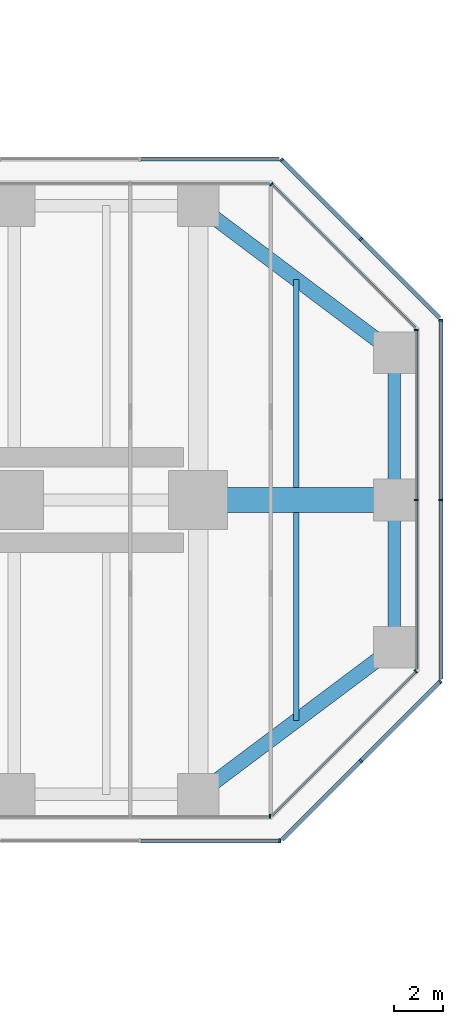
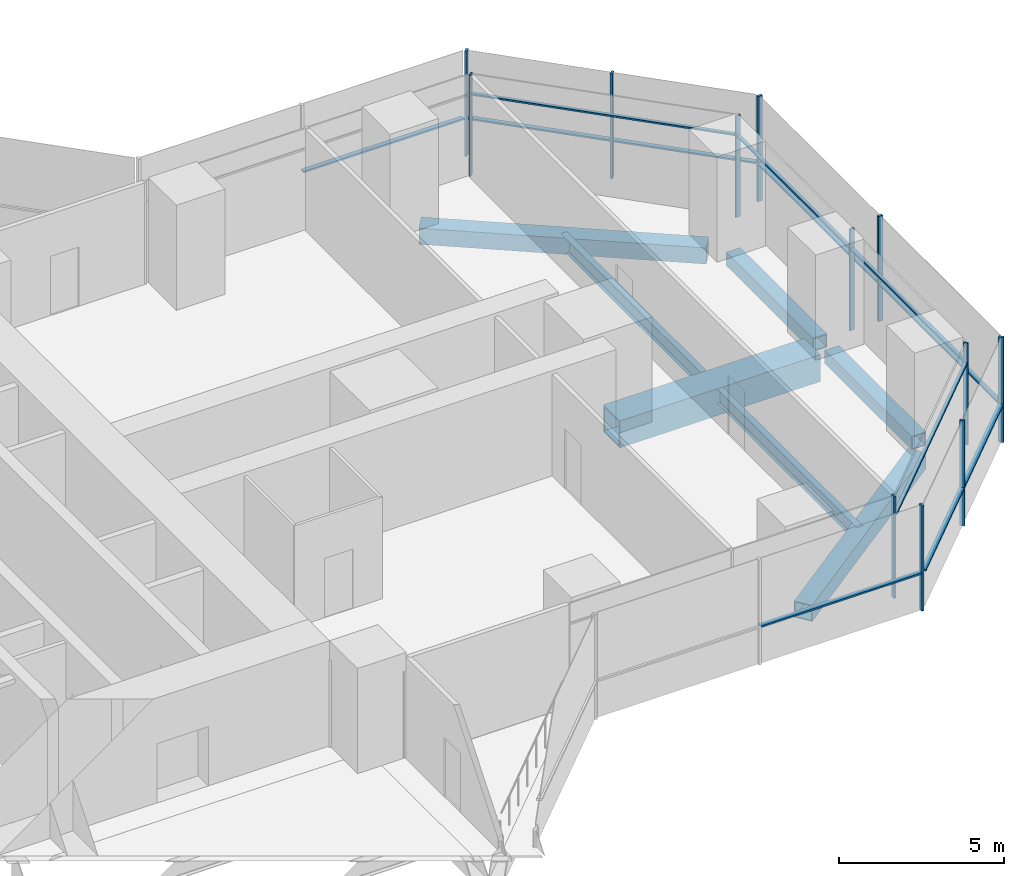
# One storey, part 11 of 20: 24 members, 7 beams, 9 elements without a shape of their own.
"""IFC4 building model written with IfcOpenShell, lengths in metres."""

from ifc_helpers import new_model, si_unit, direction, frame, origin, origin_2d, place, context, subcontext, project, spatial, rectangle, hollow_rectangle, i_section, extrude, material, material_profile, profile_set, type_object, element, aggregate, save


model = new_model("IFC4")

# Units and contexts
model_context = context("Model", 3, precision=1e-05, world=origin(), true_north=direction((0.0, 1.0)))
body_context = subcontext(model_context, "Body", "Model", "MODEL_VIEW")
ifc_project = project(units=[si_unit("LENGTHUNIT", "METRE"), si_unit("AREAUNIT", "SQUARE_METRE"), si_unit("VOLUMEUNIT", "CUBIC_METRE"), si_unit("PLANEANGLEUNIT", "RADIAN"), si_unit("MASSUNIT", "GRAM", prefix="KILO")], contexts=[model_context])

# Site, building, storey
site_placement = place(None, origin())
site = spatial("IfcSite", under=ifc_project, at=site_placement, CompositionType="ELEMENT")
building_placement = place(site_placement, origin())
building = spatial("IfcBuilding", under=site, at=building_placement, Name="Mizan Broadcast Tower", CompositionType="ELEMENT")
storey_placement = place(building_placement, frame((0.0, 0.0, 174.89990234375)))
storey = spatial("IfcBuildingStorey", under=building, at=storey_placement, Name="L40", CompositionType="ELEMENT", Elevation=174.89990234375)

# Beams
ifc_material_1 = material(Name="Steel S355", Category="steel")
ifc_material_profile_1 = material_profile(ifc_material_1, hollow_rectangle(XDim=0.5, YDim=0.5, WallThickness=0.030029296875, at=origin_2d()), Name="BOX 500x500x30")
ifc_profile_set_1 = profile_set([ifc_material_profile_1], Name="Steel S355")
beam_type_1 = type_object("IfcBeamType", Name="EDGE BEAM BOX 500x500x30", PredefinedType="SPANDREL", material=ifc_profile_set_1)
for number, where, z_axis, x_axis, name in (
    (1, (35.0, -5.639892578125, -0.3798828125), (0.0, 1.0, 0.0), (-1.0, 0.0, 0.0), "Edge beam BOX 500x500x30 L40 east arm"),
    (2, (35.0, 5.639892578125, -0.3798828125), (0.0, -1.0, 0.0), (1.0, 0.0, 0.0), "Edge beam BOX 500x500x30 L40 east arm"),
):
    element("IfcBeam", number, at=place(storey_placement, frame(where, z_axis=z_axis, x_axis=x_axis)), inside=storey, type_object=beam_type_1, Name=name, PredefinedType="SPANDREL", context=body_context, shape_type="SweptSolid", body=[
        extrude(hollow_rectangle(XDim=0.5, YDim=0.5, WallThickness=0.030029296875, at=origin_2d()), origin(), (0.0, 0.0, 1.0), 5.27978515625),
    ])
ifc_material_2 = material(Name="Steel S355", Category="steel")
ifc_material_profile_2 = material_profile(ifc_material_2, hollow_rectangle(XDim=0.60009765625, YDim=0.60009765625, WallThickness=0.030029296875, at=origin_2d()), Name="BOX 600x600x30")
ifc_profile_set_2 = profile_set([ifc_material_profile_2], Name="Steel S355")
beam_type_2 = type_object("IfcBeamType", Name="EDGE BEAM BOX 600x600x30", PredefinedType="SPANDREL", material=ifc_profile_set_2)
for number, where, z_axis, x_axis, name in (
    (3, (27.47998046875, -11.639892578125, -0.429931640625), (0.800013316712, 0.599982243973, 0.0), (-0.599982243973, 0.800013316712, 0.0), "Edge beam BOX 600x600x30 L40 east arm"),
    (4, (27.47998046875, 11.639892578125, -0.429931640625), (0.800013316712, -0.599982243973, 0.0), (0.599982243973, 0.800013316712, 0.0), "Edge beam BOX 600x600x30 L40 east arm"),
):
    element("IfcBeam", number, at=place(storey_placement, frame(where, z_axis=z_axis, x_axis=x_axis)), inside=storey, type_object=beam_type_2, Name=name, PredefinedType="SPANDREL", context=body_context, shape_type="SweptSolid", body=[
        extrude(hollow_rectangle(XDim=0.60009765625, YDim=0.60009765625, WallThickness=0.030029296875, at=origin_2d()), origin(), (0.0, 0.0, 1.0), 8.7998046875),
    ])
ifc_material_3 = material(Name="Steel S460", Category="steel")
ifc_material_profile_3 = material_profile(ifc_material_3, hollow_rectangle(XDim=1.0, YDim=1.0, WallThickness=0.06005859375, at=origin_2d()), Name="BOX 1000x1000x60")
ifc_profile_set_3 = profile_set([ifc_material_profile_3], Name="Steel S460")
beam_type_3 = type_object("IfcBeamType", Name="GIRDER BOX 1000x1000x60", PredefinedType="BEAM", material=ifc_profile_set_3)
beam_placement = place(storey_placement, frame((27.47998046875, 0.0, -0.6298828125), z_axis=(1.0, 0.0, 0.0), x_axis=(0.0, 1.0, 0.0)))
element("IfcBeam", 5, at=beam_placement, inside=storey, type_object=beam_type_3, Name="Girder BOX 1000x1000x60 L40 east arm", PredefinedType="BEAM", context=body_context, shape_type="SweptSolid", body=[
    extrude(hollow_rectangle(XDim=1.0, YDim=1.0, WallThickness=0.06005859375, at=origin_2d()), origin(), (0.0, 0.0, 1.0), 7.0400390625),
])

# Curtain wall, member
ifc_material_4 = material(Name="Aluminium framed glazing", Category="aluminium")
curtain_wall_type_1 = type_object("IfcCurtainWallType", Name="INNER SKIN MID ZONE", PredefinedType="USERDEFINED", material=ifc_material_4)
curtain_wall_1_placement = place(storey_placement, origin())
curtain_wall_1 = element("IfcCurtainWall", 6, at=curtain_wall_1_placement, inside=storey, type_object=curtain_wall_type_1, Name="Inner skin mid zone L40 E side", ObjectType="INNER SKIN MID ZONE", PredefinedType="USERDEFINED")
ifc_material_5 = material(Name="Aluminium, pale anodised", Category="aluminium")
ifc_material_profile_4 = material_profile(ifc_material_5, rectangle(XDim=0.159912109375, YDim=0.06005859375, at=origin_2d()), Name="MULLION 160x60")
ifc_profile_set_4 = profile_set([ifc_material_profile_4], Name="Aluminium, pale anodised")
member_type_1 = type_object("IfcMemberType", Name="INNER SKIN MULLION 60x160", PredefinedType="MULLION", material=ifc_profile_set_4)
member_1_placement = place(storey_placement, frame((29.928466796875, -12.89990234375, 0.0), z_axis=(0.0, 0.0, 1.0), x_axis=(0.0, 1.0, 0.0)))
member_1 = element("IfcMember", 7, at=member_1_placement, type_object=member_type_1, Name="Inner skin mid zone L40 E side mullion 3", PredefinedType="MULLION", context=body_context, shape_type="SweptSolid", body=[
    extrude(rectangle(XDim=0.159912109375, YDim=0.06005859375, at=origin_2d()), origin(), (0.0, 0.0, 1.0), 3.77001953125),
])
aggregate(curtain_wall_1, [member_1])

curtain_wall_2_placement = place(storey_placement, origin())
curtain_wall_2 = element("IfcCurtainWall", 8, at=curtain_wall_2_placement, inside=storey, type_object=curtain_wall_type_1, Name="Inner skin mid zone L40 E chamfer", ObjectType="INNER SKIN MID ZONE", PredefinedType="USERDEFINED")
member_2_placement = place(storey_placement, frame((35.87890625, -6.979736328125, 0.0), z_axis=(0.0, 0.0, 1.0), x_axis=(-0.707106781187, 0.707106781187, 0.0)))
member_2 = element("IfcMember", 9, at=member_2_placement, type_object=member_type_1, Name="Inner skin mid zone L40 E chamfer mullion 2", PredefinedType="MULLION", context=body_context, shape_type="SweptSolid", body=[
    extrude(rectangle(XDim=0.159912109375, YDim=0.06005859375, at=origin_2d()), origin(), (0.0, 0.0, 1.0), 3.77001953125),
])

# Curtain wall, members
curtain_wall_3_placement = place(storey_placement, origin())
curtain_wall_3 = element("IfcCurtainWall", 10, at=curtain_wall_3_placement, inside=storey, type_object=curtain_wall_type_1, Name="Inner skin mid zone L40 E end", ObjectType="INNER SKIN MID ZONE", PredefinedType="USERDEFINED")
member_3_placement = place(storey_placement, frame((35.89990234375, 0.0, 0.0), z_axis=(0.0, 0.0, 1.0), x_axis=(-1.0, 0.0, 0.0)))
member_3 = element("IfcMember", 11, at=member_3_placement, type_object=member_type_1, Name="Inner skin mid zone L40 E end mullion 2", PredefinedType="MULLION", context=body_context, shape_type="SweptSolid", body=[
    extrude(rectangle(XDim=0.159912109375, YDim=0.06005859375, at=origin_2d()), origin(), (0.0, 0.0, 1.0), 3.77001953125),
])
member_4_placement = place(storey_placement, frame((35.89990234375, 6.928466796875, 0.0), z_axis=(0.0, 0.0, 1.0), x_axis=(-1.0, 0.0, 0.0)))
member_4 = element("IfcMember", 12, at=member_4_placement, type_object=member_type_1, Name="Inner skin mid zone L40 E end mullion 3", PredefinedType="MULLION", context=body_context, shape_type="SweptSolid", body=[
    extrude(rectangle(XDim=0.159912109375, YDim=0.06005859375, at=origin_2d()), origin(), (0.0, 0.0, 1.0), 3.77001953125),
])

# Curtain wall, member
curtain_wall_4_placement = place(storey_placement, origin())
curtain_wall_4 = element("IfcCurtainWall", 13, at=curtain_wall_4_placement, inside=storey, type_object=curtain_wall_type_1, Name="Inner skin mid zone L40 E chamfer", ObjectType="INNER SKIN MID ZONE", PredefinedType="USERDEFINED")
member_5_placement = place(storey_placement, frame((29.979736328125, 12.87890625, 0.0), z_axis=(0.0, 0.0, 1.0), x_axis=(-0.707106781187, -0.707106781187, 0.0)))
member_5 = element("IfcMember", 14, at=member_5_placement, type_object=member_type_1, Name="Inner skin mid zone L40 E chamfer mullion 2", PredefinedType="MULLION", context=body_context, shape_type="SweptSolid", body=[
    extrude(rectangle(XDim=0.159912109375, YDim=0.06005859375, at=origin_2d()), origin(), (0.0, 0.0, 1.0), 3.77001953125),
])

# Member
ifc_material_6 = material(Name="Aluminium, pale anodised", Category="aluminium")
ifc_material_profile_5 = material_profile(ifc_material_6, rectangle(XDim=0.1201171875, YDim=0.06005859375, at=origin_2d()), Name="TRANSOM 120x60")
ifc_profile_set_5 = profile_set([ifc_material_profile_5], Name="Aluminium, pale anodised")
member_type_2 = type_object("IfcMemberType", Name="INNER SKIN TRANSOM 60x120", PredefinedType="USERDEFINED", material=ifc_profile_set_5)
member_6_placement = place(storey_placement, frame((30.0009765625, -12.857666015625, 3.030029296875), z_axis=(0.707106781187, 0.707106781187, 0.0), x_axis=(-0.707106781187, 0.707106781187, 0.0)))
member_6 = element("IfcMember", 15, at=member_6_placement, type_object=member_type_2, Name="Inner skin mid zone L40 E chamfer transom 1.1", ObjectType="TRANSOM", PredefinedType="USERDEFINED", context=body_context, shape_type="SweptSolid", body=[
    extrude(rectangle(XDim=0.1201171875, YDim=0.06005859375, at=origin_2d()), origin(), (0.0, 0.0, 1.0), 8.28271484375),
])

aggregate(curtain_wall_2, [member_2, member_6])

member_7_placement = place(storey_placement, frame((35.89990234375, -6.898681640625, 3.030029296875), z_axis=(0.0, 1.0, 0.0), x_axis=(-1.0, 0.0, 0.0)))
member_7 = element("IfcMember", 16, at=member_7_placement, type_object=member_type_2, Name="Inner skin mid zone L40 E end transom 1.1", ObjectType="TRANSOM", PredefinedType="USERDEFINED", context=body_context, shape_type="SweptSolid", body=[
    extrude(rectangle(XDim=0.1201171875, YDim=0.06005859375, at=origin_2d()), origin(), (0.0, 0.0, 1.0), 6.86865234375),
])

member_8_placement = place(storey_placement, frame((35.89990234375, 0.030029296875, 3.030029296875), z_axis=(0.0, 1.0, 0.0), x_axis=(-1.0, 0.0, 0.0)))
member_8 = element("IfcMember", 17, at=member_8_placement, type_object=member_type_2, Name="Inner skin mid zone L40 E end transom 2.1", ObjectType="TRANSOM", PredefinedType="USERDEFINED", context=body_context, shape_type="SweptSolid", body=[
    extrude(rectangle(XDim=0.1201171875, YDim=0.06005859375, at=origin_2d()), origin(), (0.0, 0.0, 1.0), 6.86865234375),
])

aggregate(curtain_wall_3, [member_3, member_4, member_7, member_8])

member_9_placement = place(storey_placement, frame((35.857666015625, 7.0009765625, 3.030029296875), z_axis=(-0.707106781187, 0.707106781187, 0.0), x_axis=(-0.707106781187, -0.707106781187, 0.0)))
member_9 = element("IfcMember", 18, at=member_9_placement, type_object=member_type_2, Name="Inner skin mid zone L40 E chamfer transom 1.1", ObjectType="TRANSOM", PredefinedType="USERDEFINED", context=body_context, shape_type="SweptSolid", body=[
    extrude(rectangle(XDim=0.1201171875, YDim=0.06005859375, at=origin_2d()), origin(), (0.0, 0.0, 1.0), 8.28271484375),
])

aggregate(curtain_wall_4, [member_5, member_9])

# Curtain wall, members
ifc_material_7 = material(Name="Aluminium framed glazing", Category="aluminium")
curtain_wall_type_2 = type_object("IfcCurtainWallType", Name="OUTER SKIN", PredefinedType="USERDEFINED", material=ifc_material_7)
curtain_wall_5_placement = place(storey_placement, origin())
curtain_wall_5 = element("IfcCurtainWall", 19, at=curtain_wall_5_placement, inside=storey, type_object=curtain_wall_type_2, Name="Outer skin L40 E chamfer", ObjectType="OUTER SKIN", PredefinedType="USERDEFINED")
ifc_material_8 = material(Name="Aluminium, pale anodised", Category="aluminium")
ifc_material_profile_6 = material_profile(ifc_material_8, rectangle(XDim=0.159912109375, YDim=0.080078125, at=origin_2d()), Name="MULLION 160x80")
ifc_profile_set_6 = profile_set([ifc_material_profile_6], Name="Aluminium, pale anodised")
member_type_3 = type_object("IfcMemberType", Name="OUTER SKIN MULLION 80x160", PredefinedType="MULLION", material=ifc_profile_set_6)
member_10_placement = place(storey_placement, frame((33.636474609375, -10.636474609375, 0.0), z_axis=(0.0, 0.0, 1.0), x_axis=(-0.707106781187, 0.707106781187, 0.0)))
member_10 = element("IfcMember", 20, at=member_10_placement, type_object=member_type_3, Name="Outer skin L40 E chamfer mullion 2", PredefinedType="MULLION", context=body_context, shape_type="SweptSolid", body=[
    extrude(rectangle(XDim=0.159912109375, YDim=0.080078125, at=origin_2d()), origin(), (0.0, 0.0, 1.0), 3.900146484375),
])
member_11_placement = place(storey_placement, frame((36.871826171875, -7.401123046875, 0.0), z_axis=(0.0, 0.0, 1.0), x_axis=(-0.707106781187, 0.707106781187, 0.0)))
member_11 = element("IfcMember", 21, at=member_11_placement, type_object=member_type_3, Name="Outer skin L40 E chamfer mullion 3", PredefinedType="MULLION", context=body_context, shape_type="SweptSolid", body=[
    extrude(rectangle(XDim=0.159912109375, YDim=0.080078125, at=origin_2d()), origin(), (0.0, 0.0, 1.0), 3.900146484375),
])

curtain_wall_6_placement = place(storey_placement, origin())
curtain_wall_6 = element("IfcCurtainWall", 22, at=curtain_wall_6_placement, inside=storey, type_object=curtain_wall_type_2, Name="Outer skin L40 E end", ObjectType="OUTER SKIN", PredefinedType="USERDEFINED")
member_12_placement = place(storey_placement, frame((36.89990234375, 0.0, 0.0), z_axis=(0.0, 0.0, 1.0), x_axis=(-1.0, 0.0, 0.0)))
member_12 = element("IfcMember", 23, at=member_12_placement, type_object=member_type_3, Name="Outer skin L40 E end mullion 2", PredefinedType="MULLION", context=body_context, shape_type="SweptSolid", body=[
    extrude(rectangle(XDim=0.159912109375, YDim=0.080078125, at=origin_2d()), origin(), (0.0, 0.0, 1.0), 3.900146484375),
])
member_13_placement = place(storey_placement, frame((36.89990234375, 7.332763671875, 0.0), z_axis=(0.0, 0.0, 1.0), x_axis=(-1.0, 0.0, 0.0)))
member_13 = element("IfcMember", 24, at=member_13_placement, type_object=member_type_3, Name="Outer skin L40 E end mullion 3", PredefinedType="MULLION", context=body_context, shape_type="SweptSolid", body=[
    extrude(rectangle(XDim=0.159912109375, YDim=0.080078125, at=origin_2d()), origin(), (0.0, 0.0, 1.0), 3.900146484375),
])

curtain_wall_7_placement = place(storey_placement, origin())
curtain_wall_7 = element("IfcCurtainWall", 25, at=curtain_wall_7_placement, inside=storey, type_object=curtain_wall_type_2, Name="Outer skin L40 E chamfer", ObjectType="OUTER SKIN", PredefinedType="USERDEFINED")
member_14_placement = place(storey_placement, frame((33.636474609375, 10.636474609375, 0.0), z_axis=(0.0, 0.0, 1.0), x_axis=(-0.707106781187, -0.707106781187, 0.0)))
member_14 = element("IfcMember", 26, at=member_14_placement, type_object=member_type_3, Name="Outer skin L40 E chamfer mullion 2", PredefinedType="MULLION", context=body_context, shape_type="SweptSolid", body=[
    extrude(rectangle(XDim=0.159912109375, YDim=0.080078125, at=origin_2d()), origin(), (0.0, 0.0, 1.0), 3.900146484375),
])
member_15_placement = place(storey_placement, frame((30.401123046875, 13.871826171875, 0.0), z_axis=(0.0, 0.0, 1.0), x_axis=(-0.707106781187, -0.707106781187, 0.0)))
member_15 = element("IfcMember", 27, at=member_15_placement, type_object=member_type_3, Name="Outer skin L40 E chamfer mullion 3", PredefinedType="MULLION", context=body_context, shape_type="SweptSolid", body=[
    extrude(rectangle(XDim=0.159912109375, YDim=0.080078125, at=origin_2d()), origin(), (0.0, 0.0, 1.0), 3.900146484375),
])

# Curtain wall, member
curtain_wall_8_placement = place(storey_placement, origin())
curtain_wall_8 = element("IfcCurtainWall", 28, at=curtain_wall_8_placement, inside=storey, type_object=curtain_wall_type_2, Name="Outer skin L40 E side", ObjectType="OUTER SKIN", PredefinedType="USERDEFINED")
member_16_placement = place(storey_placement, frame((30.332763671875, -13.89990234375, 0.0), z_axis=(0.0, 0.0, 1.0), x_axis=(0.0, 1.0, 0.0)))
member_16 = element("IfcMember", 29, at=member_16_placement, type_object=member_type_3, Name="Outer skin L40 E side mullion 3", PredefinedType="MULLION", context=body_context, shape_type="SweptSolid", body=[
    extrude(rectangle(XDim=0.159912109375, YDim=0.080078125, at=origin_2d()), origin(), (0.0, 0.0, 1.0), 3.900146484375),
])

# Member
ifc_material_9 = material(Name="Aluminium, pale anodised", Category="aluminium")
ifc_material_profile_7 = material_profile(ifc_material_9, rectangle(XDim=0.159912109375, YDim=0.06005859375, at=origin_2d()), Name="TRANSOM 160x60")
ifc_profile_set_7 = profile_set([ifc_material_profile_7], Name="Aluminium, pale anodised")
member_type_4 = type_object("IfcMemberType", Name="OUTER SKIN TRANSOM 60x160", PredefinedType="USERDEFINED", material=ifc_profile_set_7)
member_17_placement = place(storey_placement, frame((30.429443359375, -13.843505859375, 1.400146484375), z_axis=(0.707106781187, 0.707106781187, 0.0), x_axis=(-0.707106781187, 0.707106781187, 0.0)))
member_17 = element("IfcMember", 30, at=member_17_placement, type_object=member_type_4, Name="Outer skin L40 E chamfer transom 1.1", ObjectType="TRANSOM", PredefinedType="USERDEFINED", context=body_context, shape_type="SweptSolid", body=[
    extrude(rectangle(XDim=0.159912109375, YDim=0.06005859375, at=origin_2d()), origin(), (0.0, 0.0, 1.0), 4.495361328125),
])

member_18_placement = place(storey_placement, frame((33.664794921875, -10.608154296875, 1.400146484375), z_axis=(0.707106781187, 0.707106781187, 0.0), x_axis=(-0.707106781187, 0.707106781187, 0.0)))
member_18 = element("IfcMember", 31, at=member_18_placement, type_object=member_type_4, Name="Outer skin L40 E chamfer transom 2.1", ObjectType="TRANSOM", PredefinedType="USERDEFINED", context=body_context, shape_type="SweptSolid", body=[
    extrude(rectangle(XDim=0.159912109375, YDim=0.06005859375, at=origin_2d()), origin(), (0.0, 0.0, 1.0), 4.495361328125),
])

aggregate(curtain_wall_5, [member_10, member_11, member_17, member_18])

member_19_placement = place(storey_placement, frame((36.89990234375, -7.292724609375, 1.400146484375), z_axis=(0.0, 1.0, 0.0), x_axis=(-1.0, 0.0, 0.0)))
member_19 = element("IfcMember", 32, at=member_19_placement, type_object=member_type_4, Name="Outer skin L40 E end transom 1.1", ObjectType="TRANSOM", PredefinedType="USERDEFINED", context=body_context, shape_type="SweptSolid", body=[
    extrude(rectangle(XDim=0.159912109375, YDim=0.06005859375, at=origin_2d()), origin(), (0.0, 0.0, 1.0), 7.252685546875),
])

member_20_placement = place(storey_placement, frame((36.89990234375, 0.0400390625, 1.400146484375), z_axis=(0.0, 1.0, 0.0), x_axis=(-1.0, 0.0, 0.0)))
member_20 = element("IfcMember", 33, at=member_20_placement, type_object=member_type_4, Name="Outer skin L40 E end transom 2.1", ObjectType="TRANSOM", PredefinedType="USERDEFINED", context=body_context, shape_type="SweptSolid", body=[
    extrude(rectangle(XDim=0.159912109375, YDim=0.06005859375, at=origin_2d()), origin(), (0.0, 0.0, 1.0), 7.252685546875),
])

aggregate(curtain_wall_6, [member_12, member_13, member_19, member_20])

member_21_placement = place(storey_placement, frame((36.843505859375, 7.429443359375, 1.400146484375), z_axis=(-0.707106781187, 0.707106781187, 0.0), x_axis=(-0.707106781187, -0.707106781187, 0.0)))
member_21 = element("IfcMember", 34, at=member_21_placement, type_object=member_type_4, Name="Outer skin L40 E chamfer transom 1.1", ObjectType="TRANSOM", PredefinedType="USERDEFINED", context=body_context, shape_type="SweptSolid", body=[
    extrude(rectangle(XDim=0.159912109375, YDim=0.06005859375, at=origin_2d()), origin(), (0.0, 0.0, 1.0), 4.495361328125),
])

member_22_placement = place(storey_placement, frame((33.608154296875, 10.664794921875, 1.400146484375), z_axis=(-0.707106781187, 0.707106781187, 0.0), x_axis=(-0.707106781187, -0.707106781187, 0.0)))
member_22 = element("IfcMember", 35, at=member_22_placement, type_object=member_type_4, Name="Outer skin L40 E chamfer transom 2.1", ObjectType="TRANSOM", PredefinedType="USERDEFINED", context=body_context, shape_type="SweptSolid", body=[
    extrude(rectangle(XDim=0.159912109375, YDim=0.06005859375, at=origin_2d()), origin(), (0.0, 0.0, 1.0), 4.495361328125),
])

aggregate(curtain_wall_7, [member_14, member_15, member_21, member_22])

# Curtain wall, member
curtain_wall_9_placement = place(storey_placement, origin())
curtain_wall_9 = element("IfcCurtainWall", 36, at=curtain_wall_9_placement, inside=storey, type_object=curtain_wall_type_2, Name="Outer skin L40 E side", ObjectType="OUTER SKIN", PredefinedType="USERDEFINED")
member_23_placement = place(storey_placement, frame((30.292724609375, 13.89990234375, 1.400146484375), z_axis=(-1.0, 0.0, 0.0), x_axis=(0.0, -1.0, 0.0)))
member_23 = element("IfcMember", 37, at=member_23_placement, type_object=member_type_4, Name="Outer skin L40 E side transom 1.1", ObjectType="TRANSOM", PredefinedType="USERDEFINED", context=body_context, shape_type="SweptSolid", body=[
    extrude(rectangle(XDim=0.159912109375, YDim=0.06005859375, at=origin_2d()), origin(), (0.0, 0.0, 1.0), 5.6298828125),
])
aggregate(curtain_wall_9, [member_23])

# Member
member_24_placement = place(storey_placement, frame((24.662841796875, -13.89990234375, 1.400146484375), z_axis=(1.0, 0.0, 0.0), x_axis=(0.0, 1.0, 0.0)))
member_24 = element("IfcMember", 38, at=member_24_placement, type_object=member_type_4, Name="Outer skin L40 E side transom 2.1", ObjectType="TRANSOM", PredefinedType="USERDEFINED", context=body_context, shape_type="SweptSolid", body=[
    extrude(rectangle(XDim=0.159912109375, YDim=0.06005859375, at=origin_2d()), origin(), (0.0, 0.0, 1.0), 5.6298828125),
])

aggregate(curtain_wall_8, [member_16, member_24])

# Beams
ifc_material_10 = material(Name="Steel S355", Category="steel")
ifc_material_profile_8 = material_profile(ifc_material_10, i_section(OverallWidth=0.2099609375, OverallDepth=0.550048828125, WebThickness=0.010986328125, FlangeThickness=0.01708984375, FilletRadius=0.02392578125, at=origin_2d()), Name="IPE 550")
ifc_profile_set_8 = profile_set([ifc_material_profile_8], Name="Steel S355")
beam_type_4 = type_object("IfcBeamType", Name="SECONDARY BEAM IPE 550", PredefinedType="JOIST", material=ifc_profile_set_8)
for number, where, z_axis, x_axis, name in (
    (39, (31.0, -9.0, -0.40478515625), (0.0, 1.0, 0.0), (-1.0, 0.0, 0.0), "Secondary beam IPE 550 L40 east arm"),
    (40, (31.0, 9.0, -0.40478515625), (0.0, -1.0, 0.0), (1.0, 0.0, 0.0), "Secondary beam IPE 550 L40 east arm"),
):
    element("IfcBeam", number, at=place(storey_placement, frame(where, z_axis=z_axis, x_axis=x_axis)), inside=storey, type_object=beam_type_4, Name=name, PredefinedType="JOIST", context=body_context, shape_type="SweptSolid", body=[
        extrude(i_section(OverallWidth=0.2099609375, OverallDepth=0.550048828125, WebThickness=0.010986328125, FlangeThickness=0.01708984375, FilletRadius=0.02392578125, at=origin_2d()), origin(), (0.0, 0.0, 1.0), 8.5),
    ])

save(model, "model.ifc")
